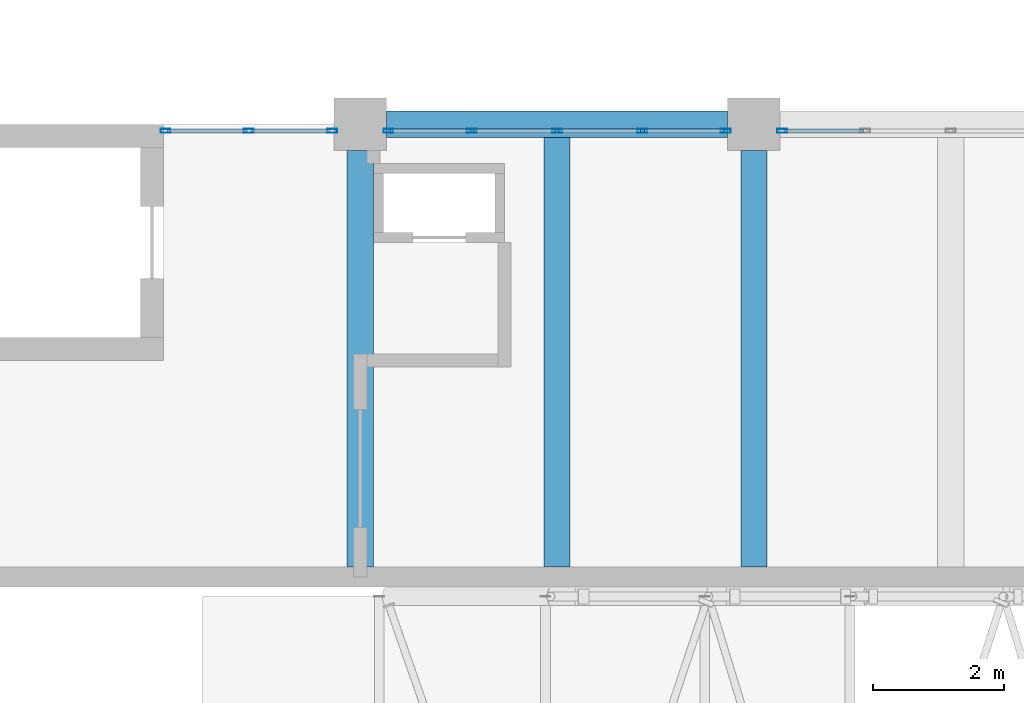
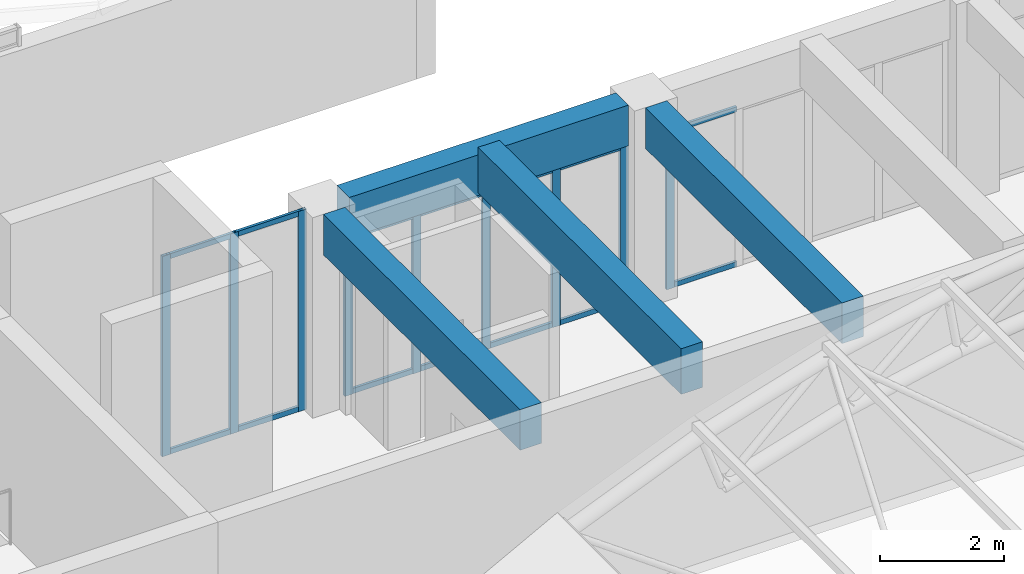
# One storey, part 7 of 92: 23 members, 4 beams, 3 elements without a shape of their own.
"""IFC4 building model written with IfcOpenShell, lengths in metres."""

from ifc_helpers import new_model, si_unit, direction, frame, origin, origin_2d, place, context, subcontext, project, spatial, rectangle, hollow_rectangle, extrude, material, material_profile, profile_set, type_object, element, aggregate, save


model = new_model("IFC4")

# Units and contexts
model_context = context("Model", 3, precision=1e-05, world=origin(), true_north=direction((0.0, 1.0)))
body_context = subcontext(model_context, "Body", "Model", "MODEL_VIEW")
ifc_project = project(units=[si_unit("LENGTHUNIT", "METRE"), si_unit("AREAUNIT", "SQUARE_METRE"), si_unit("VOLUMEUNIT", "CUBIC_METRE"), si_unit("PLANEANGLEUNIT", "RADIAN"), si_unit("MASSUNIT", "GRAM", prefix="KILO")], contexts=[model_context])

# Site, building, storey
site_placement = place(None, origin())
site = spatial("IfcSite", under=ifc_project, at=site_placement, CompositionType="ELEMENT")
building_placement = place(site_placement, origin())
building = spatial("IfcBuilding", under=site, at=building_placement, Name="Laocheng Heights Fire and Rescue Headquarters", CompositionType="ELEMENT")
storey_placement = place(building_placement, frame((0.0, 0.0, 12.60009765625)))
storey = spatial("IfcBuildingStorey", under=building, at=storey_placement, Name="L03", CompositionType="ELEMENT", Elevation=12.60009765625)

# Curtain wall, members
ifc_material_1 = material(Name="Aluminium unitised curtain wall, low-e double glazing", Category="aluminium")
curtain_wall_type_1 = type_object("IfcCurtainWallType", Name="CW 2600 x 3950 GALLERY UNIT", PredefinedType="NOTDEFINED", material=ifc_material_1)
curtain_wall_1_placement = place(storey_placement, origin())
curtain_wall_1 = element("IfcCurtainWall", 1, at=curtain_wall_1_placement, inside=storey, type_object=curtain_wall_type_1, Name="Gallery north glazing L03", PredefinedType="NOTDEFINED")
ifc_material_2 = material(Name="Aluminium 6063-T5 extrusion", Category="aluminium")
ifc_material_profile_1 = material_profile(ifc_material_2, hollow_rectangle(XDim=0.06005859375, YDim=0.14990234375, WallThickness=0.0029296875, at=origin_2d()), Name="AL MULLION 150x60x3")
ifc_profile_set_1 = profile_set([ifc_material_profile_1], Name="Aluminium 6063-T5 extrusion")
member_type_1 = type_object("IfcMemberType", Name="AL CURTAIN WALL MULLION 150x60x3", PredefinedType="MULLION", material=ifc_profile_set_1)
member_1_placement = place(storey_placement, frame((21.030029296875, 28.699951171875, 0.0), z_axis=(0.0, 0.0, 1.0), x_axis=(0.0, 1.0, 0.0)))
member_1 = element("IfcMember", 2, at=member_1_placement, type_object=member_type_1, Name="X5-E mullion 1", PredefinedType="MULLION", context=body_context, shape_type="SweptSolid", body=[
    extrude(hollow_rectangle(XDim=0.06005859375, YDim=0.14990234375, WallThickness=0.0029296875, at=origin_2d()), origin(), (0.0, 0.0, 1.0), 3.949951171875),
])
member_2_placement = place(storey_placement, frame((22.300048828125, 28.699951171875, 0.0), z_axis=(0.0, 0.0, 1.0), x_axis=(0.0, 1.0, 0.0)))
member_2 = element("IfcMember", 3, at=member_2_placement, type_object=member_type_1, Name="X5-E mullion 2", PredefinedType="MULLION", context=body_context, shape_type="SweptSolid", body=[
    extrude(hollow_rectangle(XDim=0.06005859375, YDim=0.14990234375, WallThickness=0.0029296875, at=origin_2d()), origin(), (0.0, 0.0, 1.0), 3.949951171875),
])
member_3_placement = place(storey_placement, frame((23.570068359375, 28.699951171875, 0.0), z_axis=(0.0, 0.0, 1.0), x_axis=(0.0, 1.0, 0.0)))
member_3 = element("IfcMember", 4, at=member_3_placement, type_object=member_type_1, Name="X5-E mullion 3", PredefinedType="MULLION", context=body_context, shape_type="SweptSolid", body=[
    extrude(hollow_rectangle(XDim=0.06005859375, YDim=0.14990234375, WallThickness=0.0029296875, at=origin_2d()), origin(), (0.0, 0.0, 1.0), 3.949951171875),
])

ifc_material_3 = material(Name="Aluminium unitised curtain wall, low-e double glazing", Category="aluminium")
curtain_wall_type_2 = type_object("IfcCurtainWallType", Name="CW 5200 x 3150 GALLERY UNIT", PredefinedType="NOTDEFINED", material=ifc_material_3)
curtain_wall_2_placement = place(storey_placement, origin())
curtain_wall_2 = element("IfcCurtainWall", 5, at=curtain_wall_2_placement, inside=storey, type_object=curtain_wall_type_2, Name="Gallery north glazing L03", PredefinedType="NOTDEFINED")
member_4_placement = place(storey_placement, frame((24.429931640625, 28.699951171875, 0.0), z_axis=(0.0, 0.0, 1.0), x_axis=(0.0, 1.0, 0.0)))
member_4 = element("IfcMember", 6, at=member_4_placement, type_object=member_type_1, Name="X6-E mullion 1", PredefinedType="MULLION", context=body_context, shape_type="SweptSolid", body=[
    extrude(hollow_rectangle(XDim=0.06005859375, YDim=0.14990234375, WallThickness=0.0029296875, at=origin_2d()), origin(), (0.0, 0.0, 1.0), 3.14990234375),
])
member_5_placement = place(storey_placement, frame((25.699951171875, 28.699951171875, 0.0), z_axis=(0.0, 0.0, 1.0), x_axis=(0.0, 1.0, 0.0)))
member_5 = element("IfcMember", 7, at=member_5_placement, type_object=member_type_1, Name="X6-E mullion 2", PredefinedType="MULLION", context=body_context, shape_type="SweptSolid", body=[
    extrude(hollow_rectangle(XDim=0.06005859375, YDim=0.14990234375, WallThickness=0.0029296875, at=origin_2d()), origin(), (0.0, 0.0, 1.0), 3.14990234375),
])
member_6_placement = place(storey_placement, frame((27.0, 28.699951171875, 0.0), z_axis=(0.0, 0.0, 1.0), x_axis=(0.0, 1.0, 0.0)))
member_6 = element("IfcMember", 8, at=member_6_placement, type_object=member_type_1, Name="X6-E mullion 3", PredefinedType="MULLION", context=body_context, shape_type="SweptSolid", body=[
    extrude(hollow_rectangle(XDim=0.06005859375, YDim=0.14990234375, WallThickness=0.0029296875, at=origin_2d()), origin(), (0.0, 0.0, 1.0), 3.14990234375),
])
member_7_placement = place(storey_placement, frame((28.300048828125, 28.699951171875, 0.0), z_axis=(0.0, 0.0, 1.0), x_axis=(0.0, 1.0, 0.0)))
member_7 = element("IfcMember", 9, at=member_7_placement, type_object=member_type_1, Name="X6-E mullion 4", PredefinedType="MULLION", context=body_context, shape_type="SweptSolid", body=[
    extrude(hollow_rectangle(XDim=0.06005859375, YDim=0.14990234375, WallThickness=0.0029296875, at=origin_2d()), origin(), (0.0, 0.0, 1.0), 3.14990234375),
])
member_8_placement = place(storey_placement, frame((29.570068359375, 28.699951171875, 0.0), z_axis=(0.0, 0.0, 1.0), x_axis=(0.0, 1.0, 0.0)))
member_8 = element("IfcMember", 10, at=member_8_placement, type_object=member_type_1, Name="X6-E mullion 5", PredefinedType="MULLION", context=body_context, shape_type="SweptSolid", body=[
    extrude(hollow_rectangle(XDim=0.06005859375, YDim=0.14990234375, WallThickness=0.0029296875, at=origin_2d()), origin(), (0.0, 0.0, 1.0), 3.14990234375),
])

# Curtain wall, member
curtain_wall_3_placement = place(storey_placement, origin())
curtain_wall_3 = element("IfcCurtainWall", 11, at=curtain_wall_3_placement, inside=storey, type_object=curtain_wall_type_2, Name="Gallery north glazing L03", PredefinedType="NOTDEFINED")
member_9_placement = place(storey_placement, frame((30.429931640625, 28.699951171875, 0.0), z_axis=(0.0, 0.0, 1.0), x_axis=(0.0, 1.0, 0.0)))
member_9 = element("IfcMember", 12, at=member_9_placement, type_object=member_type_1, Name="X6-E mullion 1", PredefinedType="MULLION", context=body_context, shape_type="SweptSolid", body=[
    extrude(hollow_rectangle(XDim=0.06005859375, YDim=0.14990234375, WallThickness=0.0029296875, at=origin_2d()), origin(), (0.0, 0.0, 1.0), 3.14990234375),
])

# Member
ifc_material_4 = material(Name="Aluminium 6063-T5 extrusion", Category="aluminium")
ifc_material_profile_2 = material_profile(ifc_material_4, hollow_rectangle(XDim=0.050048828125, YDim=0.10009765625, WallThickness=0.0029296875, at=origin_2d()), Name="AL TRANSOM 100x50x3")
ifc_profile_set_2 = profile_set([ifc_material_profile_2], Name="Aluminium 6063-T5 extrusion")
member_type_2 = type_object("IfcMemberType", Name="AL CURTAIN WALL TRANSOM 100x50x3", PredefinedType="USERDEFINED", material=ifc_profile_set_2)
member_10_placement = place(storey_placement, frame((21.06005859375, 28.699951171875, 0.0498046875), z_axis=(1.0, 0.0, 0.0), x_axis=(0.0, 1.0, 0.0)))
member_10 = element("IfcMember", 13, at=member_10_placement, type_object=member_type_2, Name="X5-E transom 1.1", ObjectType="TRANSOM", PredefinedType="USERDEFINED", context=body_context, shape_type="SweptSolid", body=[
    extrude(hollow_rectangle(XDim=0.050048828125, YDim=0.10009765625, WallThickness=0.0029296875, at=origin_2d()), origin(), (0.0, 0.0, 1.0), 1.2099609375),
])

member_11_placement = place(storey_placement, frame((21.06005859375, 28.699951171875, 3.89990234375), z_axis=(1.0, 0.0, 0.0), x_axis=(0.0, 1.0, 0.0)))
member_11 = element("IfcMember", 14, at=member_11_placement, type_object=member_type_2, Name="X5-E transom 1.2", ObjectType="TRANSOM", PredefinedType="USERDEFINED", context=body_context, shape_type="SweptSolid", body=[
    extrude(hollow_rectangle(XDim=0.050048828125, YDim=0.10009765625, WallThickness=0.0029296875, at=origin_2d()), origin(), (0.0, 0.0, 1.0), 1.2099609375),
])

member_12_placement = place(storey_placement, frame((22.330078125, 28.699951171875, 0.0498046875), z_axis=(1.0, 0.0, 0.0), x_axis=(0.0, 1.0, 0.0)))
member_12 = element("IfcMember", 15, at=member_12_placement, type_object=member_type_2, Name="X5-E transom 2.1", ObjectType="TRANSOM", PredefinedType="USERDEFINED", context=body_context, shape_type="SweptSolid", body=[
    extrude(hollow_rectangle(XDim=0.050048828125, YDim=0.10009765625, WallThickness=0.0029296875, at=origin_2d()), origin(), (0.0, 0.0, 1.0), 1.2099609375),
])

member_13_placement = place(storey_placement, frame((22.330078125, 28.699951171875, 3.89990234375), z_axis=(1.0, 0.0, 0.0), x_axis=(0.0, 1.0, 0.0)))
member_13 = element("IfcMember", 16, at=member_13_placement, type_object=member_type_2, Name="X5-E transom 2.2", ObjectType="TRANSOM", PredefinedType="USERDEFINED", context=body_context, shape_type="SweptSolid", body=[
    extrude(hollow_rectangle(XDim=0.050048828125, YDim=0.10009765625, WallThickness=0.0029296875, at=origin_2d()), origin(), (0.0, 0.0, 1.0), 1.2099609375),
])

aggregate(curtain_wall_1, [member_1, member_2, member_3, member_10, member_11, member_12, member_13])

member_14_placement = place(storey_placement, frame((24.4599609375, 28.699951171875, 0.0498046875), z_axis=(1.0, 0.0, 0.0), x_axis=(0.0, 1.0, 0.0)))
member_14 = element("IfcMember", 17, at=member_14_placement, type_object=member_type_2, Name="X6-E transom 1.1", ObjectType="TRANSOM", PredefinedType="USERDEFINED", context=body_context, shape_type="SweptSolid", body=[
    extrude(hollow_rectangle(XDim=0.050048828125, YDim=0.10009765625, WallThickness=0.0029296875, at=origin_2d()), origin(), (0.0, 0.0, 1.0), 1.2099609375),
])

member_15_placement = place(storey_placement, frame((24.4599609375, 28.699951171875, 3.099853515625), z_axis=(1.0, 0.0, 0.0), x_axis=(0.0, 1.0, 0.0)))
member_15 = element("IfcMember", 18, at=member_15_placement, type_object=member_type_2, Name="X6-E transom 1.2", ObjectType="TRANSOM", PredefinedType="USERDEFINED", context=body_context, shape_type="SweptSolid", body=[
    extrude(hollow_rectangle(XDim=0.050048828125, YDim=0.10009765625, WallThickness=0.0029296875, at=origin_2d()), origin(), (0.0, 0.0, 1.0), 1.2099609375),
])

member_16_placement = place(storey_placement, frame((25.72998046875, 28.699951171875, 0.0498046875), z_axis=(1.0, 0.0, 0.0), x_axis=(0.0, 1.0, 0.0)))
member_16 = element("IfcMember", 19, at=member_16_placement, type_object=member_type_2, Name="X6-E transom 2.1", ObjectType="TRANSOM", PredefinedType="USERDEFINED", context=body_context, shape_type="SweptSolid", body=[
    extrude(hollow_rectangle(XDim=0.050048828125, YDim=0.10009765625, WallThickness=0.0029296875, at=origin_2d()), origin(), (0.0, 0.0, 1.0), 1.239990234375),
])

member_17_placement = place(storey_placement, frame((25.72998046875, 28.699951171875, 3.099853515625), z_axis=(1.0, 0.0, 0.0), x_axis=(0.0, 1.0, 0.0)))
member_17 = element("IfcMember", 20, at=member_17_placement, type_object=member_type_2, Name="X6-E transom 2.2", ObjectType="TRANSOM", PredefinedType="USERDEFINED", context=body_context, shape_type="SweptSolid", body=[
    extrude(hollow_rectangle(XDim=0.050048828125, YDim=0.10009765625, WallThickness=0.0029296875, at=origin_2d()), origin(), (0.0, 0.0, 1.0), 1.239990234375),
])

member_18_placement = place(storey_placement, frame((27.030029296875, 28.699951171875, 0.0498046875), z_axis=(1.0, 0.0, 0.0), x_axis=(0.0, 1.0, 0.0)))
member_18 = element("IfcMember", 21, at=member_18_placement, type_object=member_type_2, Name="X6-E transom 3.1", ObjectType="TRANSOM", PredefinedType="USERDEFINED", context=body_context, shape_type="SweptSolid", body=[
    extrude(hollow_rectangle(XDim=0.050048828125, YDim=0.10009765625, WallThickness=0.0029296875, at=origin_2d()), origin(), (0.0, 0.0, 1.0), 1.239990234375),
])

member_19_placement = place(storey_placement, frame((27.030029296875, 28.699951171875, 3.099853515625), z_axis=(1.0, 0.0, 0.0), x_axis=(0.0, 1.0, 0.0)))
member_19 = element("IfcMember", 22, at=member_19_placement, type_object=member_type_2, Name="X6-E transom 3.2", ObjectType="TRANSOM", PredefinedType="USERDEFINED", context=body_context, shape_type="SweptSolid", body=[
    extrude(hollow_rectangle(XDim=0.050048828125, YDim=0.10009765625, WallThickness=0.0029296875, at=origin_2d()), origin(), (0.0, 0.0, 1.0), 1.239990234375),
])

member_20_placement = place(storey_placement, frame((28.330078125, 28.699951171875, 0.0498046875), z_axis=(1.0, 0.0, 0.0), x_axis=(0.0, 1.0, 0.0)))
member_20 = element("IfcMember", 23, at=member_20_placement, type_object=member_type_2, Name="X6-E transom 4.1", ObjectType="TRANSOM", PredefinedType="USERDEFINED", context=body_context, shape_type="SweptSolid", body=[
    extrude(hollow_rectangle(XDim=0.050048828125, YDim=0.10009765625, WallThickness=0.0029296875, at=origin_2d()), origin(), (0.0, 0.0, 1.0), 1.2099609375),
])

member_21_placement = place(storey_placement, frame((28.330078125, 28.699951171875, 3.099853515625), z_axis=(1.0, 0.0, 0.0), x_axis=(0.0, 1.0, 0.0)))
member_21 = element("IfcMember", 24, at=member_21_placement, type_object=member_type_2, Name="X6-E transom 4.2", ObjectType="TRANSOM", PredefinedType="USERDEFINED", context=body_context, shape_type="SweptSolid", body=[
    extrude(hollow_rectangle(XDim=0.050048828125, YDim=0.10009765625, WallThickness=0.0029296875, at=origin_2d()), origin(), (0.0, 0.0, 1.0), 1.2099609375),
])

aggregate(curtain_wall_2, [member_4, member_5, member_6, member_7, member_8, member_14, member_15, member_16, member_17, member_18, member_19, member_20, member_21])

member_22_placement = place(storey_placement, frame((30.4599609375, 28.699951171875, 0.0498046875), z_axis=(1.0, 0.0, 0.0), x_axis=(0.0, 1.0, 0.0)))
member_22 = element("IfcMember", 25, at=member_22_placement, type_object=member_type_2, Name="X6-E transom 1.1", ObjectType="TRANSOM", PredefinedType="USERDEFINED", context=body_context, shape_type="SweptSolid", body=[
    extrude(hollow_rectangle(XDim=0.050048828125, YDim=0.10009765625, WallThickness=0.0029296875, at=origin_2d()), origin(), (0.0, 0.0, 1.0), 1.2099609375),
])

member_23_placement = place(storey_placement, frame((30.4599609375, 28.699951171875, 3.099853515625), z_axis=(1.0, 0.0, 0.0), x_axis=(0.0, 1.0, 0.0)))
member_23 = element("IfcMember", 26, at=member_23_placement, type_object=member_type_2, Name="X6-E transom 1.2", ObjectType="TRANSOM", PredefinedType="USERDEFINED", context=body_context, shape_type="SweptSolid", body=[
    extrude(hollow_rectangle(XDim=0.050048828125, YDim=0.10009765625, WallThickness=0.0029296875, at=origin_2d()), origin(), (0.0, 0.0, 1.0), 1.2099609375),
])

aggregate(curtain_wall_3, [member_9, member_22, member_23])

# Beams
ifc_material_5 = material(Name="Concrete C40", Category="concrete")
ifc_material_profile_3 = material_profile(ifc_material_5, rectangle(XDim=0.39990234375, YDim=0.800048828125, at=origin_2d()), Name="RC BEAM 400x800 GALLERY FLOOR")
ifc_profile_set_3 = profile_set([ifc_material_profile_3], Name="Concrete C40")
beam_type_1 = type_object("IfcBeamType", Name="RC BEAM 400x800 GALLERY FLOOR", PredefinedType="BEAM", material=ifc_profile_set_3)
beam_1_placement = place(storey_placement, frame((24.39990234375, 28.800048828125, 3.5498046875), z_axis=(1.0, 0.0, 0.0), x_axis=(0.0, 1.0, 0.0)))
element("IfcBeam", 27, at=beam_1_placement, inside=storey, type_object=beam_type_1, Name="Gallery roof beam", PredefinedType="BEAM", context=body_context, shape_type="SweptSolid", body=[
    extrude(rectangle(XDim=0.39990234375, YDim=0.800048828125, at=origin_2d()), origin(), (0.0, 0.0, 1.0), 5.2001953125),
])
ifc_material_6 = material(Name="Concrete C40", Category="concrete")
ifc_material_profile_4 = material_profile(ifc_material_6, rectangle(XDim=0.39990234375, YDim=0.800048828125, at=origin_2d()), Name="RC BEAM 400x800 GALLERY ROOF")
ifc_profile_set_4 = profile_set([ifc_material_profile_4], Name="Concrete C40")
beam_type_2 = type_object("IfcBeamType", Name="RC BEAM 400x800 GALLERY ROOF", PredefinedType="BEAM", material=ifc_profile_set_4)
for number, where, z_axis, x_axis, name in (
    (28, (24.0, 22.050048828125, 3.5498046875), (0.0, 1.0, 0.0), (-1.0, 0.0, 0.0), "Gallery beam on south wall"),
    (29, (30.0, 22.050048828125, 3.5498046875), (0.0, 1.0, 0.0), (-1.0, 0.0, 0.0), "Gallery beam on south wall"),
):
    element("IfcBeam", number, at=place(storey_placement, frame(where, z_axis=z_axis, x_axis=x_axis)), inside=storey, type_object=beam_type_2, Name=name, PredefinedType="BEAM", context=body_context, shape_type="SweptSolid", body=[
        extrude(rectangle(XDim=0.39990234375, YDim=0.800048828125, at=origin_2d()), origin(), (0.0, 0.0, 1.0), 6.349853515625),
    ])
ifc_material_7 = material(Name="Concrete C50", Category="concrete")
ifc_material_profile_5 = material_profile(ifc_material_7, rectangle(XDim=0.39990234375, YDim=0.89990234375, at=origin_2d()), Name="RC BEAM 400x900 TRANSFER SECONDARY")
ifc_profile_set_5 = profile_set([ifc_material_profile_5], Name="Concrete C50")
beam_type_3 = type_object("IfcBeamType", Name="RC BEAM 400x900 TRANSFER SECONDARY", PredefinedType="BEAM", material=ifc_profile_set_5)
beam_2_placement = place(storey_placement, frame((27.0, 22.050048828125, 3.64990234375), z_axis=(0.0, 1.0, 0.0), x_axis=(-1.0, 0.0, 0.0)))
element("IfcBeam", 30, at=beam_2_placement, inside=storey, type_object=beam_type_3, Name="Gallery secondary beam", PredefinedType="BEAM", context=body_context, shape_type="SweptSolid", body=[
    extrude(rectangle(XDim=0.39990234375, YDim=0.89990234375, at=origin_2d()), origin(), (0.0, 0.0, 1.0), 6.550048828125),
])

save(model, "model.ifc")
